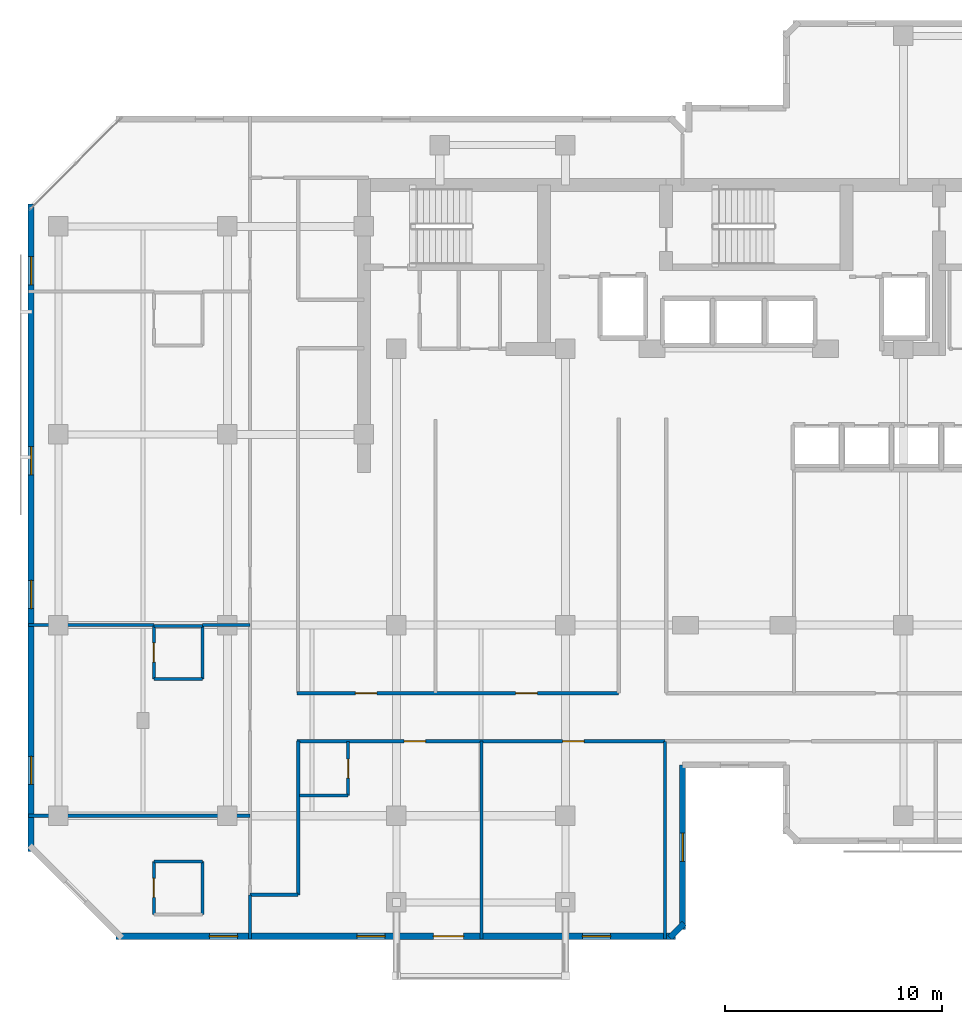
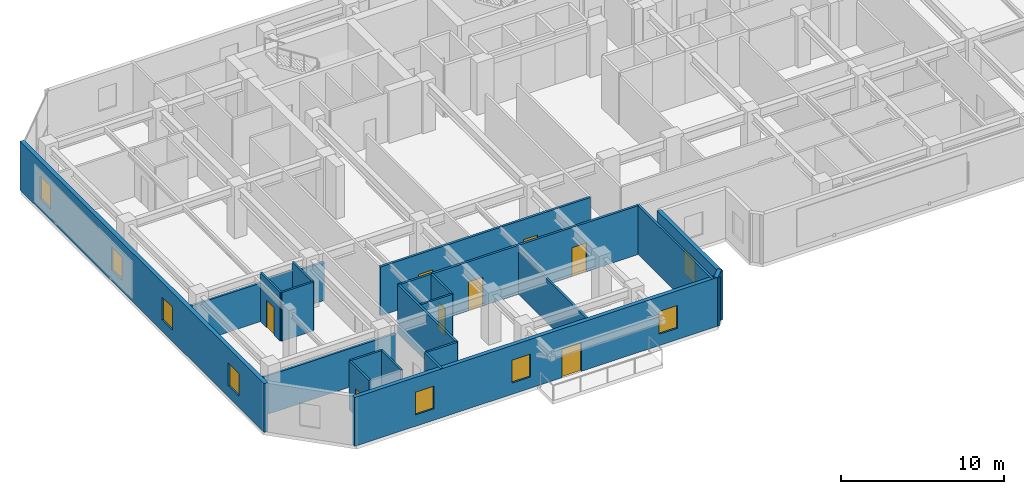
# One storey, part 4 of 11: 23 walls, 8 doors, 8 windows, 16 openings.
"""IFC4 building model written with IfcOpenShell, lengths in metres."""

from ifc_helpers import new_model, si_unit, direction, frame, frame_2d, origin, place, context, subcontext, project, spatial, rectangle, extrude, material, layer, layer_set, type_object, element, fill, save


model = new_model("IFC4")

# Units and contexts
model_context = context("Model", 3, precision=1e-05, world=origin(), true_north=direction((0.0, 1.0)))
body_context = subcontext(model_context, "Body", "Model", "MODEL_VIEW")
ifc_project = project(units=[si_unit("LENGTHUNIT", "METRE"), si_unit("AREAUNIT", "SQUARE_METRE"), si_unit("VOLUMEUNIT", "CUBIC_METRE"), si_unit("PLANEANGLEUNIT", "RADIAN"), si_unit("MASSUNIT", "GRAM", prefix="KILO")], contexts=[model_context])

# Site, building, storey
site_placement = place(None, origin())
site = spatial("IfcSite", under=ifc_project, at=site_placement, CompositionType="ELEMENT")
building_placement = place(site_placement, origin())
building = spatial("IfcBuilding", under=site, at=building_placement, Name="Kestravale Grand Hotel", CompositionType="ELEMENT")
storey_placement = place(building_placement, frame((0.0, 0.0, 204.60009765625)))
storey = spatial("IfcBuildingStorey", under=building, at=storey_placement, Name="L51", CompositionType="ELEMENT", Elevation=204.60009765625)

# Wall, openings, door, windows
ifc_material_1 = material(Name="Precast concrete f'c 45 MPa", Category="concrete")
ifc_layer_1 = layer(ifc_material_1, 0.280029296875)
ifc_layer_set_1 = layer_set([ifc_layer_1], Name="EW-PREC-280")
wall_type_1 = type_object("IfcWallType", Name="EW-PREC-280", PredefinedType="SOLIDWALL", material=ifc_layer_set_1)
wall_1_placement = place(storey_placement, frame((10.4599609375, 5.639892578125, 0.0), z_axis=(0.0, 0.0, 1.0), x_axis=(1.0, 0.0, 0.0)))
wall_1 = element("IfcWall", 1, at=wall_1_placement, inside=storey, type_object=wall_type_1, Name="L51 fluted precast facade wall 1", PredefinedType="SOLIDWALL", context=body_context, shape_type="SweptSolid", body=[
    extrude(rectangle(XDim=25.830078125, YDim=0.280029296875, at=frame_2d((12.9150390625, 0.0))), origin(), (0.0, 0.0, 1.0), 3.64990234375),
])
opening_1_placement = place(wall_1_placement, frame((14.639892578125, 0.0, 0.0)))
opening_1 = element("IfcOpeningElement", 2, at=opening_1_placement, cuts=wall_1, Name="Opening D-TERR-1400", PredefinedType="OPENING", context=body_context, shape_type="SweptSolid", body=[
    extrude(rectangle(XDim=1.39990234375, YDim=2.14990234375, at=frame_2d((0.699951171875, 1.074951171875))), frame((0.0, 0.14990234375, 0.0), z_axis=(0.0, -1.0, 0.0), x_axis=(1.0, 0.0, 0.0)), (0.0, 0.0, 1.0), 0.300048828125),
])
opening_2_placement = place(wall_1_placement, frame((4.304931640625, 0.0, 0.85009765625)))
opening_2 = element("IfcOpeningElement", 3, at=opening_2_placement, cuts=wall_1, Name="Opening W-GUEST-1300", PredefinedType="OPENING", context=body_context, shape_type="SweptSolid", body=[
    extrude(rectangle(XDim=1.300048828125, YDim=1.699951171875, at=frame_2d((0.64990234375, 0.85009765625))), frame((0.0, 0.14990234375, 0.0), z_axis=(0.0, -1.0, 0.0), x_axis=(1.0, 0.0, 0.0)), (0.0, 0.0, 1.0), 0.300048828125),
])
opening_3_placement = place(wall_1_placement, frame((11.114990234375, 0.0, 0.85009765625)))
opening_3 = element("IfcOpeningElement", 4, at=opening_3_placement, cuts=wall_1, Name="Opening W-GUEST-1300", PredefinedType="OPENING", context=body_context, shape_type="SweptSolid", body=[
    extrude(rectangle(XDim=1.300048828125, YDim=1.699951171875, at=frame_2d((0.64990234375, 0.85009765625))), frame((0.0, 0.14990234375, 0.0), z_axis=(0.0, -1.0, 0.0), x_axis=(1.0, 0.0, 0.0)), (0.0, 0.0, 1.0), 0.300048828125),
])
opening_4_placement = place(wall_1_placement, frame((21.52490234375, 0.0, 0.85009765625)))
opening_4 = element("IfcOpeningElement", 5, at=opening_4_placement, cuts=wall_1, Name="Opening W-GUEST-1300", PredefinedType="OPENING", context=body_context, shape_type="SweptSolid", body=[
    extrude(rectangle(XDim=1.300048828125, YDim=1.699951171875, at=frame_2d((0.64990234375, 0.85009765625))), frame((0.0, 0.14990234375, 0.0), z_axis=(0.0, -1.0, 0.0), x_axis=(1.0, 0.0, 0.0)), (0.0, 0.0, 1.0), 0.300048828125),
])
ifc_material_2 = material(Name="Insulated glazed champagne-bronze aluminium door", Category="aluminium")
door_type_1 = type_object("IfcDoorType", Name="D-TERR-1400", OperationType="NOTDEFINED", PredefinedType="DOOR", material=ifc_material_2)
door_1_placement = place(opening_1_placement, origin())
door_1 = element("IfcDoor", 6, at=door_1_placement, inside=storey, type_object=door_type_1, Name="L51 outdoor garden terrace door", OperationType="DOUBLE_DOOR_SINGLE_SWING", OverallHeight=2.14990234375, OverallWidth=1.39990234375, PredefinedType="DOOR", context=body_context, shape_type="SweptSolid", body=[
    extrude(rectangle(XDim=1.39990234375, YDim=2.14990234375, at=frame_2d((0.699951171875, 1.074951171875))), frame((0.0, 0.02490234375, 0.0), z_axis=(0.0, -1.0, 0.0), x_axis=(1.0, 0.0, 0.0)), (0.0, 0.0, 1.0), 0.050048828125),
])
fill(opening_1, door_1)
ifc_material_3 = material(Name="Insulated low-E double glazing in aluminium frame", Category="aluminium")
window_type = type_object("IfcWindowType", Name="W-GUEST-1300", PartitioningType="SINGLE_PANEL", PredefinedType="WINDOW", material=ifc_material_3)
window_1_placement = place(opening_2_placement, origin())
window_1 = element("IfcWindow", 7, at=window_1_placement, inside=storey, type_object=window_type, Name="L51 exterior window 1.1", OverallHeight=1.699951171875, OverallWidth=1.300048828125, PartitioningType="SINGLE_PANEL", PredefinedType="WINDOW", context=body_context, shape_type="SweptSolid", body=[
    extrude(rectangle(XDim=1.300048828125, YDim=1.699951171875, at=frame_2d((0.64990234375, 0.85009765625))), frame((0.0, 0.030029296875, 0.0), z_axis=(0.0, -1.0, 0.0), x_axis=(1.0, 0.0, 0.0)), (0.0, 0.0, 1.0), 0.06005859375),
])
fill(opening_2, window_1)
window_2_placement = place(opening_3_placement, origin())
window_2 = element("IfcWindow", 8, at=window_2_placement, inside=storey, type_object=window_type, Name="L51 exterior window 1.2", OverallHeight=1.699951171875, OverallWidth=1.300048828125, PartitioningType="SINGLE_PANEL", PredefinedType="WINDOW", context=body_context, shape_type="SweptSolid", body=[
    extrude(rectangle(XDim=1.300048828125, YDim=1.699951171875, at=frame_2d((0.64990234375, 0.85009765625))), frame((0.0, 0.030029296875, 0.0), z_axis=(0.0, -1.0, 0.0), x_axis=(1.0, 0.0, 0.0)), (0.0, 0.0, 1.0), 0.06005859375),
])
fill(opening_3, window_2)
window_3_placement = place(opening_4_placement, origin())
window_3 = element("IfcWindow", 9, at=window_3_placement, inside=storey, type_object=window_type, Name="L51 exterior window 1.3", OverallHeight=1.699951171875, OverallWidth=1.300048828125, PartitioningType="SINGLE_PANEL", PredefinedType="WINDOW", context=body_context, shape_type="SweptSolid", body=[
    extrude(rectangle(XDim=1.300048828125, YDim=1.699951171875, at=frame_2d((0.64990234375, 0.85009765625))), frame((0.0, 0.030029296875, 0.0), z_axis=(0.0, -1.0, 0.0), x_axis=(1.0, 0.0, 0.0)), (0.0, 0.0, 1.0), 0.06005859375),
])
fill(opening_4, window_3)

# Wall
wall_2_placement = place(storey_placement, frame((36.022705078125, 5.57080078125, 0.0), z_axis=(0.0, 0.0, 1.0), x_axis=(0.707106781187, 0.707106781187, 0.0)))
element("IfcWall", 10, at=wall_2_placement, inside=storey, type_object=wall_type_1, Name="L51 fluted precast facade wall 2", PredefinedType="SOLIDWALL", context=body_context, shape_type="SweptSolid", body=[
    extrude(rectangle(XDim=0.928466796875, YDim=0.280029296875, at=frame_2d((0.46435546875, 0.0))), origin(), (0.0, 0.0, 1.0), 3.64990234375),
])

# Wall, opening, window
wall_3_placement = place(storey_placement, frame((36.610107421875, 5.9599609375, 0.0), z_axis=(0.0, 0.0, 1.0), x_axis=(0.0, 1.0, 0.0)))
wall_3 = element("IfcWall", 11, at=wall_3_placement, inside=storey, type_object=wall_type_1, Name="L51 fluted precast facade wall 3", PredefinedType="SOLIDWALL", context=body_context, shape_type="SweptSolid", body=[
    extrude(rectangle(XDim=7.580078125, YDim=0.280029296875, at=frame_2d((3.7900390625, 0.0))), origin(), (0.0, 0.0, 1.0), 3.64990234375),
])
opening_5_placement = place(wall_3_placement, frame((3.139892578125, 0.0, 0.85009765625)))
opening_5 = element("IfcOpeningElement", 12, at=opening_5_placement, cuts=wall_3, Name="Opening W-GUEST-1300", PredefinedType="OPENING", context=body_context, shape_type="SweptSolid", body=[
    extrude(rectangle(XDim=1.300048828125, YDim=1.699951171875, at=frame_2d((0.64990234375, 0.85009765625))), frame((0.0, 0.14990234375, 0.0), z_axis=(0.0, -1.0, 0.0), x_axis=(1.0, 0.0, 0.0)), (0.0, 0.0, 1.0), 0.300048828125),
])
window_4_placement = place(opening_5_placement, origin())
window_4 = element("IfcWindow", 13, at=window_4_placement, inside=storey, type_object=window_type, Name="L51 exterior window 3.1", OverallHeight=1.699951171875, OverallWidth=1.300048828125, PartitioningType="SINGLE_PANEL", PredefinedType="WINDOW", context=body_context, shape_type="SweptSolid", body=[
    extrude(rectangle(XDim=1.300048828125, YDim=1.699951171875, at=frame_2d((0.64990234375, 0.85009765625))), frame((0.0, 0.030029296875, 0.0), z_axis=(0.0, -1.0, 0.0), x_axis=(1.0, 0.0, 0.0)), (0.0, 0.0, 1.0), 0.06005859375),
])
fill(opening_5, window_4)

# Wall, openings, windows
wall_4_placement = place(storey_placement, frame((6.5400390625, 39.43994140625, 0.0), z_axis=(0.0, 0.0, 1.0), x_axis=(0.0, -1.0, 0.0)))
wall_4 = element("IfcWall", 14, at=wall_4_placement, inside=storey, type_object=wall_type_1, Name="L51 fluted precast facade wall 19", PredefinedType="SOLIDWALL", context=body_context, shape_type="SweptSolid", body=[
    extrude(rectangle(XDim=29.8798828125, YDim=0.280029296875, at=frame_2d((14.93994140625, 0.0))), origin(), (0.0, 0.0, 1.0), 3.64990234375),
])
opening_6_placement = place(wall_4_placement, frame((2.43505859375, 0.0, 0.85009765625)))
opening_6 = element("IfcOpeningElement", 15, at=opening_6_placement, cuts=wall_4, Name="Opening W-GUEST-1300", PredefinedType="OPENING", context=body_context, shape_type="SweptSolid", body=[
    extrude(rectangle(XDim=1.300048828125, YDim=1.699951171875, at=frame_2d((0.64990234375, 0.85009765625))), frame((0.0, 0.14990234375, 0.0), z_axis=(0.0, -1.0, 0.0), x_axis=(1.0, 0.0, 0.0)), (0.0, 0.0, 1.0), 0.300048828125),
])
opening_7_placement = place(wall_4_placement, frame((11.205078125, 0.0, 0.85009765625)))
opening_7 = element("IfcOpeningElement", 16, at=opening_7_placement, cuts=wall_4, Name="Opening W-GUEST-1300", PredefinedType="OPENING", context=body_context, shape_type="SweptSolid", body=[
    extrude(rectangle(XDim=1.300048828125, YDim=1.699951171875, at=frame_2d((0.64990234375, 0.85009765625))), frame((0.0, 0.14990234375, 0.0), z_axis=(0.0, -1.0, 0.0), x_axis=(1.0, 0.0, 0.0)), (0.0, 0.0, 1.0), 0.300048828125),
])
opening_8_placement = place(wall_4_placement, frame((17.375, 0.0, 0.85009765625)))
opening_8 = element("IfcOpeningElement", 17, at=opening_8_placement, cuts=wall_4, Name="Opening W-GUEST-1300", PredefinedType="OPENING", context=body_context, shape_type="SweptSolid", body=[
    extrude(rectangle(XDim=1.300048828125, YDim=1.699951171875, at=frame_2d((0.64990234375, 0.85009765625))), frame((0.0, 0.14990234375, 0.0), z_axis=(0.0, -1.0, 0.0), x_axis=(1.0, 0.0, 0.0)), (0.0, 0.0, 1.0), 0.300048828125),
])
opening_9_placement = place(wall_4_placement, frame((25.4951171875, 0.0, 0.85009765625)))
opening_9 = element("IfcOpeningElement", 18, at=opening_9_placement, cuts=wall_4, Name="Opening W-GUEST-1300", PredefinedType="OPENING", context=body_context, shape_type="SweptSolid", body=[
    extrude(rectangle(XDim=1.300048828125, YDim=1.699951171875, at=frame_2d((0.64990234375, 0.85009765625))), frame((0.0, 0.14990234375, 0.0), z_axis=(0.0, -1.0, 0.0), x_axis=(1.0, 0.0, 0.0)), (0.0, 0.0, 1.0), 0.300048828125),
])
window_5_placement = place(opening_6_placement, origin())
window_5 = element("IfcWindow", 19, at=window_5_placement, inside=storey, type_object=window_type, Name="L51 exterior window 19.1", OverallHeight=1.699951171875, OverallWidth=1.300048828125, PartitioningType="SINGLE_PANEL", PredefinedType="WINDOW", context=body_context, shape_type="SweptSolid", body=[
    extrude(rectangle(XDim=1.300048828125, YDim=1.699951171875, at=frame_2d((0.64990234375, 0.85009765625))), frame((0.0, 0.030029296875, 0.0), z_axis=(0.0, -1.0, 0.0), x_axis=(1.0, 0.0, 0.0)), (0.0, 0.0, 1.0), 0.06005859375),
])
fill(opening_6, window_5)
window_6_placement = place(opening_7_placement, origin())
window_6 = element("IfcWindow", 20, at=window_6_placement, inside=storey, type_object=window_type, Name="L51 exterior window 19.2", OverallHeight=1.699951171875, OverallWidth=1.300048828125, PartitioningType="SINGLE_PANEL", PredefinedType="WINDOW", context=body_context, shape_type="SweptSolid", body=[
    extrude(rectangle(XDim=1.300048828125, YDim=1.699951171875, at=frame_2d((0.64990234375, 0.85009765625))), frame((0.0, 0.030029296875, 0.0), z_axis=(0.0, -1.0, 0.0), x_axis=(1.0, 0.0, 0.0)), (0.0, 0.0, 1.0), 0.06005859375),
])
fill(opening_7, window_6)
window_7_placement = place(opening_8_placement, origin())
window_7 = element("IfcWindow", 21, at=window_7_placement, inside=storey, type_object=window_type, Name="L51 exterior window 19.3", OverallHeight=1.699951171875, OverallWidth=1.300048828125, PartitioningType="SINGLE_PANEL", PredefinedType="WINDOW", context=body_context, shape_type="SweptSolid", body=[
    extrude(rectangle(XDim=1.300048828125, YDim=1.699951171875, at=frame_2d((0.64990234375, 0.85009765625))), frame((0.0, 0.030029296875, 0.0), z_axis=(0.0, -1.0, 0.0), x_axis=(1.0, 0.0, 0.0)), (0.0, 0.0, 1.0), 0.06005859375),
])
fill(opening_8, window_7)
window_8_placement = place(opening_9_placement, origin())
window_8 = element("IfcWindow", 22, at=window_8_placement, inside=storey, type_object=window_type, Name="L51 exterior window 19.4", OverallHeight=1.699951171875, OverallWidth=1.300048828125, PartitioningType="SINGLE_PANEL", PredefinedType="WINDOW", context=body_context, shape_type="SweptSolid", body=[
    extrude(rectangle(XDim=1.300048828125, YDim=1.699951171875, at=frame_2d((0.64990234375, 0.85009765625))), frame((0.0, 0.030029296875, 0.0), z_axis=(0.0, -1.0, 0.0), x_axis=(1.0, 0.0, 0.0)), (0.0, 0.0, 1.0), 0.06005859375),
])
fill(opening_9, window_8)

# Wall, openings, doors
ifc_material_4 = material(Name="Acoustic fire-rated gypsum board partition", Category="other")
ifc_layer_2 = layer(ifc_material_4, 0.159912109375)
ifc_layer_set_2 = layer_set([ifc_layer_2], Name="IW-CORR-160")
wall_type_2 = type_object("IfcWallType", Name="IW-CORR-160", PredefinedType="PARTITIONING", material=ifc_layer_set_2)
wall_5_placement = place(storey_placement, frame((18.800048828125, 16.860107421875, 0.0), z_axis=(0.0, 0.0, 1.0), x_axis=(1.0, 0.0, 0.0)))
wall_5 = element("IfcWall", 23, at=wall_5_placement, inside=storey, type_object=wall_type_2, Name="W-L51-CW-N", PredefinedType="PARTITIONING", context=body_context, shape_type="SweptSolid", body=[
    extrude(rectangle(XDim=14.849853515625, YDim=0.159912109375, at=frame_2d((7.4248046875, 0.0))), origin(), (0.0, 0.0, 1.0), 3.64990234375),
])
opening_10_placement = place(wall_5_placement, frame((2.699951171875, 0.0, 0.0)))
opening_10 = element("IfcOpeningElement", 24, at=opening_10_placement, cuts=wall_5, Name="Opening D-GUEST-1000", PredefinedType="OPENING", context=body_context, shape_type="SweptSolid", body=[
    extrude(rectangle(XDim=1.0, YDim=2.14990234375, at=frame_2d((0.5, 1.074951171875))), frame((0.0, 0.08984375, 0.0), z_axis=(0.0, -1.0, 0.0), x_axis=(1.0, 0.0, 0.0)), (0.0, 0.0, 1.0), 0.179931640625),
])
opening_11_placement = place(wall_5_placement, frame((10.10009765625, 0.0, 0.0)))
opening_11 = element("IfcOpeningElement", 25, at=opening_11_placement, cuts=wall_5, Name="Opening D-GUEST-1000", PredefinedType="OPENING", context=body_context, shape_type="SweptSolid", body=[
    extrude(rectangle(XDim=1.0, YDim=2.14990234375, at=frame_2d((0.5, 1.074951171875))), frame((0.0, 0.08984375, 0.0), z_axis=(0.0, -1.0, 0.0), x_axis=(1.0, 0.0, 0.0)), (0.0, 0.0, 1.0), 0.179931640625),
])
ifc_material_5 = material(Name="Accessible walnut veneer hotel entrance fire door", Category="wood")
door_type_2 = type_object("IfcDoorType", Name="D-GUEST-1000", OperationType="NOTDEFINED", PredefinedType="DOOR", material=ifc_material_5)
door_2_placement = place(opening_10_placement, origin())
door_2 = element("IfcDoor", 26, at=door_2_placement, inside=storey, type_object=door_type_2, Name="D-L51-RECL-W1", OperationType="SINGLE_SWING_LEFT", OverallHeight=2.14990234375, OverallWidth=1.0, PredefinedType="DOOR", context=body_context, shape_type="SweptSolid", body=[
    extrude(rectangle(XDim=1.0, YDim=2.14990234375, at=frame_2d((0.5, 1.074951171875))), frame((0.0, 0.02490234375, 0.0), z_axis=(0.0, -1.0, 0.0), x_axis=(1.0, 0.0, 0.0)), (0.0, 0.0, 1.0), 0.050048828125),
])
fill(opening_10, door_2)
door_3_placement = place(opening_11_placement, origin())
door_3 = element("IfcDoor", 27, at=door_3_placement, inside=storey, type_object=door_type_2, Name="D-L51-RECL-W2", OperationType="SINGLE_SWING_RIGHT", OverallHeight=2.14990234375, OverallWidth=1.0, PredefinedType="DOOR", context=body_context, shape_type="SweptSolid", body=[
    extrude(rectangle(XDim=1.0, YDim=2.14990234375, at=frame_2d((0.5, 1.074951171875))), frame((0.0, 0.02490234375, 0.0), z_axis=(0.0, -1.0, 0.0), x_axis=(1.0, 0.0, 0.0)), (0.0, 0.0, 1.0), 0.050048828125),
])
fill(opening_11, door_3)

wall_6_placement = place(storey_placement, frame((18.800048828125, 14.639892578125, 0.0), z_axis=(0.0, 0.0, 1.0), x_axis=(1.0, 0.0, 0.0)))
wall_6 = element("IfcWall", 28, at=wall_6_placement, inside=storey, type_object=wall_type_2, Name="W-L51-CW-S", PredefinedType="PARTITIONING", context=body_context, shape_type="SweptSolid", body=[
    extrude(rectangle(XDim=17.0, YDim=0.159912109375, at=frame_2d((8.5, 0.0))), origin(), (0.0, 0.0, 1.0), 3.64990234375),
])
opening_12_placement = place(wall_6_placement, frame((4.949951171875, 0.0, 0.0)))
opening_12 = element("IfcOpeningElement", 29, at=opening_12_placement, cuts=wall_6, Name="Opening D-GUEST-1000", PredefinedType="OPENING", context=body_context, shape_type="SweptSolid", body=[
    extrude(rectangle(XDim=1.0, YDim=2.14990234375, at=frame_2d((0.5, 1.074951171875))), frame((0.0, 0.08984375, 0.0), z_axis=(0.0, -1.0, 0.0), x_axis=(1.0, 0.0, 0.0)), (0.0, 0.0, 1.0), 0.179931640625),
])
opening_13_placement = place(wall_6_placement, frame((12.264892578125, 0.0, 0.0)))
opening_13 = element("IfcOpeningElement", 30, at=opening_13_placement, cuts=wall_6, Name="Opening D-GUEST-1000", PredefinedType="OPENING", context=body_context, shape_type="SweptSolid", body=[
    extrude(rectangle(XDim=1.0, YDim=2.14990234375, at=frame_2d((0.5, 1.074951171875))), frame((0.0, 0.08984375, 0.0), z_axis=(0.0, -1.0, 0.0), x_axis=(1.0, 0.0, 0.0)), (0.0, 0.0, 1.0), 0.179931640625),
])
door_4_placement = place(opening_12_placement, origin())
door_4 = element("IfcDoor", 31, at=door_4_placement, inside=storey, type_object=door_type_2, Name="D-L51-U01-ENT", OperationType="SINGLE_SWING_RIGHT", OverallHeight=2.14990234375, OverallWidth=1.0, PredefinedType="DOOR", context=body_context, shape_type="SweptSolid", body=[
    extrude(rectangle(XDim=1.0, YDim=2.14990234375, at=frame_2d((0.5, 1.074951171875))), frame((0.0, 0.02490234375, 0.0), z_axis=(0.0, -1.0, 0.0), x_axis=(1.0, 0.0, 0.0)), (0.0, 0.0, 1.0), 0.050048828125),
])
fill(opening_12, door_4)
door_5_placement = place(opening_13_placement, origin())
door_5 = element("IfcDoor", 32, at=door_5_placement, inside=storey, type_object=door_type_2, Name="D-L51-AMW", OperationType="SINGLE_SWING_LEFT", OverallHeight=2.14990234375, OverallWidth=1.0, PredefinedType="DOOR", context=body_context, shape_type="SweptSolid", body=[
    extrude(rectangle(XDim=1.0, YDim=2.14990234375, at=frame_2d((0.5, 1.074951171875))), frame((0.0, 0.02490234375, 0.0), z_axis=(0.0, -1.0, 0.0), x_axis=(1.0, 0.0, 0.0)), (0.0, 0.0, 1.0), 0.050048828125),
])
fill(opening_13, door_5)

# Wall
wall_7_placement = place(storey_placement, frame((18.860107421875, 7.550048828125, 0.0), z_axis=(0.0, 0.0, 1.0), x_axis=(0.0, 1.0, 0.0)))
element("IfcWall", 33, at=wall_7_placement, inside=storey, type_object=wall_type_2, Name="W-L51-SW-E", PredefinedType="PARTITIONING", context=body_context, shape_type="SweptSolid", body=[
    extrude(rectangle(XDim=7.08984375, YDim=0.159912109375, at=frame_2d((3.544921875, 0.0))), origin(), (0.0, 0.0, 1.0), 3.64990234375),
])

# Wall, opening, door
ifc_material_6 = material(Name="Moisture-resistant tile-backer plumbing chase wall", Category="other")
ifc_layer_3 = layer(ifc_material_6, 0.139892578125)
ifc_layer_set_3 = layer_set([ifc_layer_3], Name="IW-PLB-140")
wall_type_3 = type_object("IfcWallType", Name="IW-PLB-140", PredefinedType="PLUMBINGWALL", material=ifc_layer_set_3)
wall_8_placement = place(storey_placement, frame((21.169921875, 12.1298828125, 0.0), z_axis=(0.0, 0.0, 1.0), x_axis=(0.0, 1.0, 0.0)))
wall_8 = element("IfcWall", 34, at=wall_8_placement, inside=storey, type_object=wall_type_3, Name="W-L51-U01-BE", PredefinedType="PLUMBINGWALL", context=body_context, shape_type="SweptSolid", body=[
    extrude(rectangle(XDim=2.490234375, YDim=0.139892578125, at=frame_2d((1.2451171875, 0.0))), origin(), (0.0, 0.0, 1.0), 3.64990234375),
])
opening_14_placement = place(wall_8_placement, frame((0.804931640625, 0.0, 0.0)))
opening_14 = element("IfcOpeningElement", 35, at=opening_14_placement, cuts=wall_8, Name="Opening D-BATH-880", PredefinedType="OPENING", context=body_context, shape_type="SweptSolid", body=[
    extrude(rectangle(XDim=0.8798828125, YDim=2.050048828125, at=frame_2d((0.43994140625, 1.02490234375))), frame((0.0, 0.079833984375, 0.0), z_axis=(0.0, -1.0, 0.0), x_axis=(1.0, 0.0, 0.0)), (0.0, 0.0, 1.0), 0.159912109375),
])
ifc_material_7 = material(Name="Moisture-sealed walnut en-suite bathroom door", Category="wood")
door_type_3 = type_object("IfcDoorType", Name="D-BATH-880", OperationType="NOTDEFINED", PredefinedType="DOOR", material=ifc_material_7)
door_6_placement = place(opening_14_placement, origin())
door_6 = element("IfcDoor", 36, at=door_6_placement, inside=storey, type_object=door_type_3, Name="D-L51-U01-BATH", OperationType="SINGLE_SWING_LEFT", OverallHeight=2.050048828125, OverallWidth=0.8798828125, PredefinedType="DOOR", context=body_context, shape_type="SweptSolid", body=[
    extrude(rectangle(XDim=0.8798828125, YDim=2.050048828125, at=frame_2d((0.43994140625, 1.02490234375))), frame((0.0, 0.02490234375, 0.0), z_axis=(0.0, -1.0, 0.0), x_axis=(1.0, 0.0, 0.0)), (0.0, 0.0, 1.0), 0.050048828125),
])
fill(opening_14, door_6)

# Wall
wall_9_placement = place(storey_placement, frame((18.919921875, 12.1298828125, 0.0), z_axis=(0.0, 0.0, 1.0), x_axis=(1.0, 0.0, 0.0)))
element("IfcWall", 37, at=wall_9_placement, inside=storey, type_object=wall_type_3, Name="W-L51-U01-BS", PredefinedType="PLUMBINGWALL", context=body_context, shape_type="SweptSolid", body=[
    extrude(rectangle(XDim=2.25, YDim=0.139892578125, at=frame_2d((1.125, 0.0))), origin(), (0.0, 0.0, 1.0), 3.64990234375),
])

# Wall, opening, door
wall_10_placement = place(storey_placement, frame((12.199951171875, 6.64990234375, 0.0), z_axis=(0.0, 0.0, 1.0), x_axis=(0.0, 1.0, 0.0)))
wall_10 = element("IfcWall", 38, at=wall_10_placement, inside=storey, type_object=wall_type_3, Name="W-L51-U02-BW", PredefinedType="PLUMBINGWALL", context=body_context, shape_type="SweptSolid", body=[
    extrude(rectangle(XDim=2.4501953125, YDim=0.139892578125, at=frame_2d((1.22509765625, 0.0))), origin(), (0.0, 0.0, 1.0), 3.64990234375),
])
opening_15_placement = place(wall_10_placement, frame((0.784912109375, 0.0, 0.0)))
opening_15 = element("IfcOpeningElement", 39, at=opening_15_placement, cuts=wall_10, Name="Opening D-BATH-880", PredefinedType="OPENING", context=body_context, shape_type="SweptSolid", body=[
    extrude(rectangle(XDim=0.8798828125, YDim=2.050048828125, at=frame_2d((0.43994140625, 1.02490234375))), frame((0.0, 0.079833984375, 0.0), z_axis=(0.0, -1.0, 0.0), x_axis=(1.0, 0.0, 0.0)), (0.0, 0.0, 1.0), 0.159912109375),
])
door_7_placement = place(opening_15_placement, origin())
door_7 = element("IfcDoor", 40, at=door_7_placement, inside=storey, type_object=door_type_3, Name="D-L51-U02-BATH", OperationType="SINGLE_SWING_LEFT", OverallHeight=2.050048828125, OverallWidth=0.8798828125, PredefinedType="DOOR", context=body_context, shape_type="SweptSolid", body=[
    extrude(rectangle(XDim=0.8798828125, YDim=2.050048828125, at=frame_2d((0.43994140625, 1.02490234375))), frame((0.0, 0.02490234375, 0.0), z_axis=(0.0, -1.0, 0.0), x_axis=(1.0, 0.0, 0.0)), (0.0, 0.0, 1.0), 0.050048828125),
])
fill(opening_15, door_7)

# Walls
wall_11_placement = place(storey_placement, frame((14.449951171875, 6.64990234375, 0.0), z_axis=(0.0, 0.0, 1.0), x_axis=(0.0, 1.0, 0.0)))
element("IfcWall", 41, at=wall_11_placement, inside=storey, type_object=wall_type_3, Name="W-L51-U02-BE", PredefinedType="PLUMBINGWALL", context=body_context, shape_type="SweptSolid", body=[
    extrude(rectangle(XDim=2.4501953125, YDim=0.139892578125, at=frame_2d((1.22509765625, 0.0))), origin(), (0.0, 0.0, 1.0), 3.64990234375),
])
wall_12_placement = place(storey_placement, frame((12.199951171875, 9.10009765625, 0.0), z_axis=(0.0, 0.0, 1.0), x_axis=(1.0, 0.0, 0.0)))
element("IfcWall", 42, at=wall_12_placement, inside=storey, type_object=wall_type_3, Name="W-L51-U02-BN", PredefinedType="PLUMBINGWALL", context=body_context, shape_type="SweptSolid", body=[
    extrude(rectangle(XDim=2.25, YDim=0.139892578125, at=frame_2d((1.125, 0.0))), origin(), (0.0, 0.0, 1.0), 3.64990234375),
])

# Wall, opening, door
wall_13_placement = place(storey_placement, frame((12.199951171875, 17.510009765625, 0.0), z_axis=(0.0, 0.0, 1.0), x_axis=(0.0, 1.0, 0.0)))
wall_13 = element("IfcWall", 43, at=wall_13_placement, inside=storey, type_object=wall_type_3, Name="W-L51-U03-BW", PredefinedType="PLUMBINGWALL", context=body_context, shape_type="SweptSolid", body=[
    extrude(rectangle(XDim=2.449951171875, YDim=0.139892578125, at=frame_2d((1.22509765625, 0.0))), origin(), (0.0, 0.0, 1.0), 3.64990234375),
])
opening_16_placement = place(wall_13_placement, frame((0.784912109375, 0.0, 0.0)))
opening_16 = element("IfcOpeningElement", 44, at=opening_16_placement, cuts=wall_13, Name="Opening D-BATH-880", PredefinedType="OPENING", context=body_context, shape_type="SweptSolid", body=[
    extrude(rectangle(XDim=0.8798828125, YDim=2.050048828125, at=frame_2d((0.43994140625, 1.02490234375))), frame((0.0, 0.079833984375, 0.0), z_axis=(0.0, -1.0, 0.0), x_axis=(1.0, 0.0, 0.0)), (0.0, 0.0, 1.0), 0.159912109375),
])
door_8_placement = place(opening_16_placement, origin())
door_8 = element("IfcDoor", 45, at=door_8_placement, inside=storey, type_object=door_type_3, Name="D-L51-U03-BATH", OperationType="SINGLE_SWING_LEFT", OverallHeight=2.050048828125, OverallWidth=0.8798828125, PredefinedType="DOOR", context=body_context, shape_type="SweptSolid", body=[
    extrude(rectangle(XDim=0.8798828125, YDim=2.050048828125, at=frame_2d((0.43994140625, 1.02490234375))), frame((0.0, 0.02490234375, 0.0), z_axis=(0.0, -1.0, 0.0), x_axis=(1.0, 0.0, 0.0)), (0.0, 0.0, 1.0), 0.050048828125),
])
fill(opening_16, door_8)

# Walls
wall_14_placement = place(storey_placement, frame((14.449951171875, 17.510009765625, 0.0), z_axis=(0.0, 0.0, 1.0), x_axis=(0.0, 1.0, 0.0)))
element("IfcWall", 46, at=wall_14_placement, inside=storey, type_object=wall_type_3, Name="W-L51-U03-BE", PredefinedType="PLUMBINGWALL", context=body_context, shape_type="SweptSolid", body=[
    extrude(rectangle(XDim=2.449951171875, YDim=0.139892578125, at=frame_2d((1.22509765625, 0.0))), origin(), (0.0, 0.0, 1.0), 3.64990234375),
])
wall_15_placement = place(storey_placement, frame((12.199951171875, 17.510009765625, 0.0), z_axis=(0.0, 0.0, 1.0), x_axis=(1.0, 0.0, 0.0)))
element("IfcWall", 47, at=wall_15_placement, inside=storey, type_object=wall_type_3, Name="W-L51-U03-BS", PredefinedType="PLUMBINGWALL", context=body_context, shape_type="SweptSolid", body=[
    extrude(rectangle(XDim=2.25, YDim=0.139892578125, at=frame_2d((1.125, 0.0))), origin(), (0.0, 0.0, 1.0), 3.64990234375),
])
wall_16_placement = place(storey_placement, frame((12.199951171875, 19.9599609375, 0.0), z_axis=(0.0, 0.0, 1.0), x_axis=(1.0, 0.0, 0.0)))
element("IfcWall", 48, at=wall_16_placement, inside=storey, type_object=wall_type_3, Name="W-L51-U03-BN", PredefinedType="PLUMBINGWALL", context=body_context, shape_type="SweptSolid", body=[
    extrude(rectangle(XDim=2.25, YDim=0.139892578125, at=frame_2d((1.125, 0.0))), origin(), (0.0, 0.0, 1.0), 3.037841796875),
])
ifc_material_8 = material(Name="Double-stud STC 52 acoustic demising partition", Category="other")
ifc_layer_4 = layer(ifc_material_8, 0.14990234375)
ifc_layer_set_4 = layer_set([ifc_layer_4], Name="IW-UNIT-150")
wall_type_4 = type_object("IfcWallType", Name="IW-UNIT-150", PredefinedType="PARTITIONING", material=ifc_layer_set_4)
wall_17_placement = place(storey_placement, frame((16.639892578125, 7.550048828125, 0.0), z_axis=(0.0, 0.0, 1.0), x_axis=(1.0, 0.0, 0.0)))
element("IfcWall", 49, at=wall_17_placement, inside=storey, type_object=wall_type_4, Name="W-L51-SW-S", PredefinedType="PARTITIONING", context=body_context, shape_type="SweptSolid", body=[
    extrude(rectangle(XDim=2.22021484375, YDim=0.14990234375, at=frame_2d((1.110107421875, 0.0))), origin(), (0.0, 0.0, 1.0), 3.64990234375),
])
wall_18_placement = place(storey_placement, frame((27.330078125, 5.52001953125, 0.0), z_axis=(0.0, 0.0, 1.0), x_axis=(0.0, 1.0, 0.0)))
element("IfcWall", 50, at=wall_18_placement, inside=storey, type_object=wall_type_4, Name="W-L51-WS-1", PredefinedType="PARTITIONING", context=body_context, shape_type="SweptSolid", body=[
    extrude(rectangle(XDim=9.119873046875, YDim=0.14990234375, at=frame_2d((4.56005859375, 0.0))), origin(), (0.0, 0.0, 1.0), 3.245849609375),
])
wall_19_placement = place(storey_placement, frame((35.800048828125, 5.52001953125, 0.0), z_axis=(0.0, 0.0, 1.0), x_axis=(0.0, 1.0, 0.0)))
element("IfcWall", 51, at=wall_19_placement, inside=storey, type_object=wall_type_4, Name="W-L51-MID-S", PredefinedType="PARTITIONING", context=body_context, shape_type="SweptSolid", body=[
    extrude(rectangle(XDim=9.10009765625, YDim=0.14990234375, at=frame_2d((4.550048828125, 0.0))), origin(), (0.0, 0.0, 1.0), 3.64990234375),
])
wall_20_placement = place(storey_placement, frame((16.639892578125, 5.52001953125, 0.0), z_axis=(0.0, 0.0, 1.0), x_axis=(0.0, 1.0, 0.0)))
element("IfcWall", 52, at=wall_20_placement, inside=storey, type_object=wall_type_4, Name="W-L51-SW-EXT", PredefinedType="PARTITIONING", context=body_context, shape_type="SweptSolid", body=[
    extrude(rectangle(XDim=2.030029296875, YDim=0.14990234375, at=frame_2d((1.01513671875, 0.0))), origin(), (0.0, 0.0, 1.0), 3.64990234375),
])
wall_21_placement = place(storey_placement, frame((6.419921875, 11.199951171875, 0.0), z_axis=(0.0, 0.0, 1.0), x_axis=(1.0, 0.0, 0.0)))
element("IfcWall", 53, at=wall_21_placement, inside=storey, type_object=wall_type_4, Name="W-L51-WW-1", PredefinedType="PARTITIONING", context=body_context, shape_type="SweptSolid", body=[
    extrude(rectangle(XDim=10.219970703125, YDim=0.14990234375, at=frame_2d((5.10986328125, 0.0))), origin(), (0.0, 0.0, 1.0), 2.8779296875),
])
wall_22_placement = place(storey_placement, frame((6.419921875, 20.0, 0.0), z_axis=(0.0, 0.0, 1.0), x_axis=(1.0, 0.0, 0.0)))
element("IfcWall", 54, at=wall_22_placement, inside=storey, type_object=wall_type_4, Name="W-L51-WW-2", PredefinedType="PARTITIONING", context=body_context, shape_type="SweptSolid", body=[
    extrude(rectangle(XDim=5.780029296875, YDim=0.14990234375, at=frame_2d((2.89013671875, 0.0))), origin(), (0.0, 0.0, 1.0), 2.8779296875),
])
wall_23_placement = place(storey_placement, frame((14.449951171875, 20.0, 0.0), z_axis=(0.0, 0.0, 1.0), x_axis=(1.0, 0.0, 0.0)))
element("IfcWall", 55, at=wall_23_placement, inside=storey, type_object=wall_type_4, Name="W-L51-WW-2", PredefinedType="PARTITIONING", context=body_context, shape_type="SweptSolid", body=[
    extrude(rectangle(XDim=2.18994140625, YDim=0.14990234375, at=frame_2d((1.094970703125, 0.0))), origin(), (0.0, 0.0, 1.0), 2.8779296875),
])

save(model, "model.ifc")
